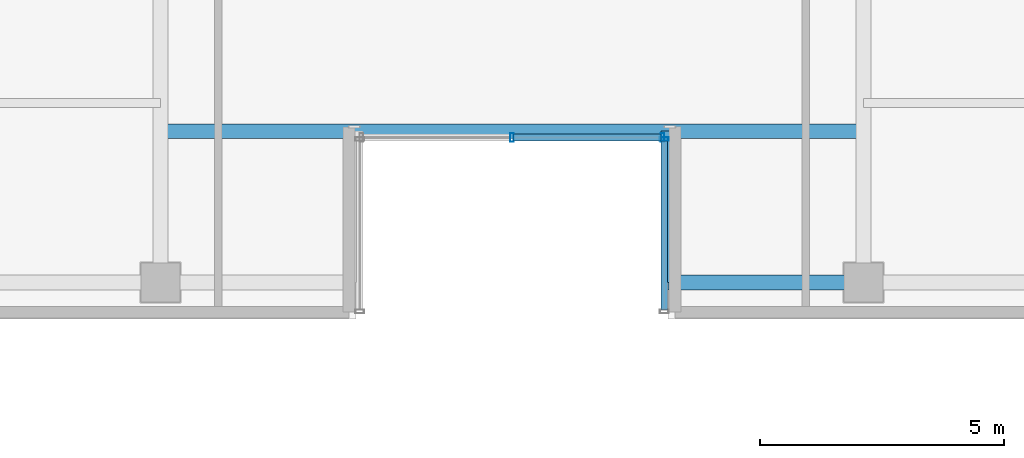
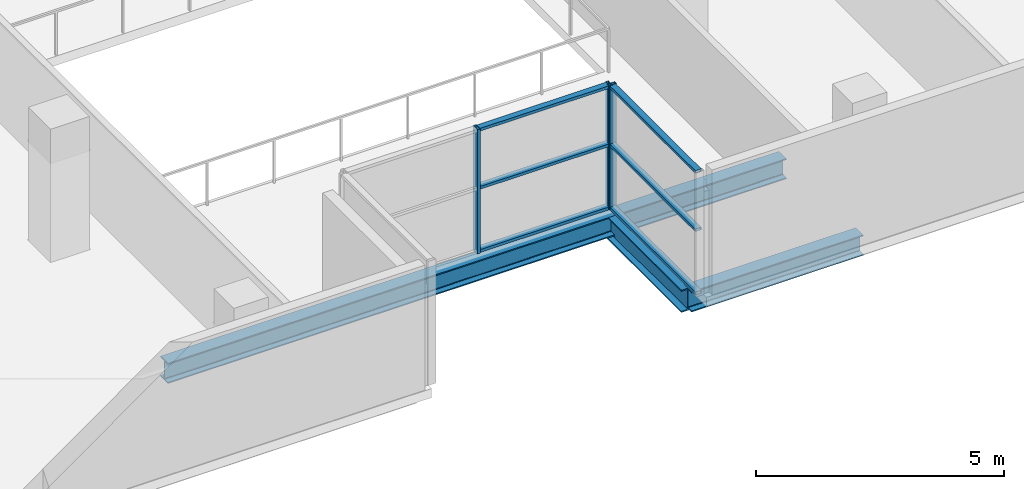
# One storey, part 7 of 25: 9 members, 3 beams, 2 elements without a shape of their own.
"""IFC4 building model written with IfcOpenShell, lengths in metres."""

import ifcopenshell
import ifcopenshell.guid

model = None  # the IFC model being written
_history = None  # IfcOwnerHistory: only IFC2X3 demands one
_inside = {}  # id of a spatial element -> (the spatial element, [elements in it])
_under = {}  # id of a project, library or spatial element -> (it, [spatial elements below it])
_declared = {}  # id of a project -> (the project, [libraries it declares])
_typed = {}  # id of a type object -> (the type object, [elements of that type])
_made_of = {}  # id of a material, layer set ... -> (it, [elements and type objects made of it])


def new_model(schema):
    """Start an empty IFC model of exactly this schema.

    Asked for "IFC4X3", IfcOpenShell would pick the latest addendum, in which some entities
    have other attributes; the version numbers below select the first issue.
    IFC2X3 requires an IfcOwnerHistory on every rooted entity: one is made here for all.
    """
    global model, _history
    if schema == "IFC4X3":
        model = ifcopenshell.file(schema_version=(4, 3, 0, 0))
    else:
        model = ifcopenshell.file(schema=schema)
    _inside.clear()
    _under.clear()
    _declared.clear()
    _typed.clear()
    _made_of.clear()
    _history = None
    if model.schema == "IFC2X3":
        org = make("IfcOrganization", Name="unknown")
        user = make(
            "IfcPersonAndOrganization",
            ThePerson=make("IfcPerson", FamilyName="unknown"),
            TheOrganization=org,
        )
        app = make(
            "IfcApplication",
            ApplicationDeveloper=org,
            Version="unknown",
            ApplicationFullName="unknown",
            ApplicationIdentifier="unknown",
        )
        _history = make(
            "IfcOwnerHistory",
            OwningUser=user,
            OwningApplication=app,
            ChangeAction="ADDED",
            CreationDate=0,
        )
    return model


def make(cls, **values):
    """One entity of the class cls with the attributes given. An attribute that is None is left unset."""
    return model.create_entity(
        cls, **{name: value for name, value in values.items() if value is not None}
    )


def rooted(cls, **values):
    """An entity with a GlobalId (a new one), such as an element, a storey or a relation."""
    return make(cls, GlobalId=ifcopenshell.guid.new(), OwnerHistory=_history, **values)


def si_unit(unit_type, name, prefix=None):
    """IfcSIUnit, for example si_unit("LENGTHUNIT", "METRE", prefix="MILLI")."""
    return make("IfcSIUnit", UnitType=unit_type, Prefix=prefix, Name=name)


def assignment(units):
    """IfcUnitAssignment: the units of a project."""
    return None if units is None else make("IfcUnitAssignment", Units=units)


def point(xyz):
    """IfcCartesianPoint."""
    return None if xyz is None else make("IfcCartesianPoint", Coordinates=xyz)


def direction(xyz):
    """IfcDirection."""
    return None if xyz is None else make("IfcDirection", DirectionRatios=xyz)


def frame(location, z_axis=None, x_axis=None):
    """IfcAxis2Placement3D, a coordinate frame: its origin and axes. An axis left out is left unset."""
    return make(
        "IfcAxis2Placement3D",
        Location=point(location),
        Axis=direction(z_axis),
        RefDirection=direction(x_axis),
    )


def frame_2d(location, x_axis=None):
    """IfcAxis2Placement2D, a coordinate frame in the plane: its origin and x axis."""
    return make(
        "IfcAxis2Placement2D", Location=point(location), RefDirection=direction(x_axis)
    )


def origin():
    """The frame at (0, 0, 0) with its axes left unset."""
    return frame((0.0, 0.0, 0.0))


def origin_2d():
    """The frame at (0, 0) in the plane with its x axis left unset."""
    return frame_2d((0.0, 0.0))


def place(relative_to, where):
    """IfcLocalPlacement: puts the frame where relative to a parent placement (None: the world)."""
    return make(
        "IfcLocalPlacement", PlacementRelTo=relative_to, RelativePlacement=where
    )


def context(
    kind, dimensions, precision=None, world=None, true_north=None, identifier=None
):
    """IfcGeometricRepresentationContext, for example the 3D "Model" context."""
    return make(
        "IfcGeometricRepresentationContext",
        ContextIdentifier=identifier,
        ContextType=kind,
        CoordinateSpaceDimension=dimensions,
        Precision=precision,
        WorldCoordinateSystem=world,
        TrueNorth=true_north,
    )


def subcontext(parent, identifier, kind, view, scale=None):
    """IfcGeometricRepresentationSubContext, for example "Body" below "Model"."""
    return make(
        "IfcGeometricRepresentationSubContext",
        ContextIdentifier=identifier,
        ContextType=kind,
        ParentContext=parent,
        TargetScale=scale,
        TargetView=view,
    )


def project(units=None, contexts=None):
    """IfcProject with its units and contexts."""
    return rooted(
        "IfcProject",
        Name="project",
        RepresentationContexts=contexts,
        UnitsInContext=assignment(units),
    )


def spatial(cls, under=None, at=None, **own):
    """A site, building, storey or space (cls), placed at a placement, below another one or the project."""
    s = rooted(cls, ObjectPlacement=at, **own)
    if under is not None:
        _under.setdefault(under.id(), (under, []))[1].append(s)
    return s


def profile(cls, at=None, kind="AREA", **sizes):
    """A parametric profile (cls). Its sizes go by their IFC names, for example OverallWidth=200.0."""
    return make(cls, ProfileType=kind, Position=at, **sizes)


def hollow_rectangle(**sizes):
    """IfcRectangleHollowProfileDef."""
    return profile("IfcRectangleHollowProfileDef", **sizes)


def i_section(**sizes):
    """IfcIShapeProfileDef."""
    return profile("IfcIShapeProfileDef", **sizes)


def extrude(swept, where, along, depth):
    """IfcExtrudedAreaSolid: the profile swept, set in the frame where, extruded along a direction by depth."""
    return make(
        "IfcExtrudedAreaSolid",
        SweptArea=swept,
        Position=where,
        ExtrudedDirection=direction(along),
        Depth=depth,
    )


def shape(context_of_items, identifier, shape_type, items):
    """IfcShapeRepresentation: the items that make up one representation, for example the "Body"."""
    return make(
        "IfcShapeRepresentation",
        ContextOfItems=context_of_items,
        RepresentationIdentifier=identifier,
        RepresentationType=shape_type,
        Items=items,
    )


def source(mapping_origin, context_of_items, identifier, shape_type, items):
    """IfcRepresentationMap: a shape defined once, which mapped items show again and again."""
    return make(
        "IfcRepresentationMap",
        MappingOrigin=mapping_origin,
        MappedRepresentation=shape(context_of_items, identifier, shape_type, items),
    )


def transform(
    local_origin,
    x_axis=None,
    y_axis=None,
    z_axis=None,
    scale=None,
    scale2=None,
    scale3=None,
    uniform=True,
):
    """IfcCartesianTransformationOperator3D, or its non-uniform kind. x_axis, y_axis, z_axis: its Axis1, 2, 3."""
    if uniform:
        return make(
            "IfcCartesianTransformationOperator3D",
            Axis1=direction(x_axis),
            Axis2=direction(y_axis),
            LocalOrigin=point(local_origin),
            Scale=scale,
            Axis3=direction(z_axis),
        )
    return make(
        "IfcCartesianTransformationOperator3DnonUniform",
        Axis1=direction(x_axis),
        Axis2=direction(y_axis),
        LocalOrigin=point(local_origin),
        Scale=scale,
        Axis3=direction(z_axis),
        Scale2=scale2,
        Scale3=scale3,
    )


def mapped(mapping_source, mapping_target):
    """IfcMappedItem: shows the shape of a source again, moved by a transform."""
    return make(
        "IfcMappedItem", MappingSource=mapping_source, MappingTarget=mapping_target
    )


def material(Name=None, Category=None):
    """IfcMaterial."""
    return make("IfcMaterial", Name=Name, Category=Category)


def layer(
    of_material, thickness, ventilated=None, Name=None, Category=None, Priority=None
):
    """IfcMaterialLayer: one layer of a wall or slab, of a material (None: an air gap)."""
    return make(
        "IfcMaterialLayer",
        Material=of_material,
        LayerThickness=thickness,
        IsVentilated=ventilated,
        Name=Name,
        Category=Category,
        Priority=Priority,
    )


def layer_set(layers, Name=None):
    """IfcMaterialLayerSet."""
    return make("IfcMaterialLayerSet", MaterialLayers=layers, LayerSetName=Name)


def material_profile(
    of_material, cross_section, Name=None, Category=None, Priority=None
):
    """IfcMaterialProfile: a cross section and its material."""
    return make(
        "IfcMaterialProfile",
        Name=Name,
        Material=of_material,
        Profile=cross_section,
        Priority=Priority,
        Category=Category,
    )


def profile_set(profiles, Name=None, composite=None):
    """IfcMaterialProfileSet."""
    return make(
        "IfcMaterialProfileSet",
        Name=Name,
        MaterialProfiles=profiles,
        CompositeProfile=composite,
    )


def made_of(thing, what):
    """Note that an element or type object is made of a material, layer set ...; save() writes the relation."""
    if what is not None:
        _made_of.setdefault(what.id(), (what, []))[1].append(thing)
    return thing


def type_object(cls, material=None, **own):
    """A type object (cls), such as IfcWallType, which elements share."""
    return made_of(rooted(cls, **own), material)


def element(
    cls,
    number,
    at=None,
    inside=None,
    cuts=None,
    type_object=None,
    material=None,
    context=None,
    identifier="Body",
    shape_type=None,
    held_by="IfcProductDefinitionShape",
    body=None,
    shapes=None,
    **own,
):
    """One element of the class cls, such as IfcWall. Its Tag is "e" and its number.

    at: its placement. inside: the storey or other place that contains it. cuts: it is an
    opening in that element (IfcRelVoidsElement). A single representation is given by context,
    identifier, shape_type and body (its items); several are given by shapes. held_by: the class
    of the entity that holds the representations. save() writes the other relations.
    """
    e = rooted(cls, Tag="e%d" % number, ObjectPlacement=at, **own)
    if body is not None:
        shapes = [shape(context, identifier, shape_type, body)]
    if shapes is not None:
        e.Representation = make(held_by, Representations=shapes)
    if inside is not None:
        _inside.setdefault(inside.id(), (inside, []))[1].append(e)
    if cuts is not None:
        rooted(
            "IfcRelVoidsElement", RelatingBuildingElement=cuts, RelatedOpeningElement=e
        )
    if type_object is not None:
        _typed.setdefault(type_object.id(), (type_object, []))[1].append(e)
    return made_of(e, material)


def aggregate(whole, parts):
    """IfcRelAggregates: a whole, such as a stair, and the parts it consists of."""
    return rooted("IfcRelAggregates", RelatingObject=whole, RelatedObjects=parts)


def save(model, path):
    """Write the relations noted so far, then the file.

    IfcRelAggregates (storeys below a building ...), IfcRelContainedInSpatialStructure (elements
    in a storey), IfcRelDefinesByType, IfcRelAssociatesMaterial and IfcRelDeclares: one each for
    every whole, place, type object, material and project.
    """
    for whole, parts in _under.values():
        aggregate(whole, parts)
    for where, things in _inside.values():
        rooted(
            "IfcRelContainedInSpatialStructure",
            RelatedElements=things,
            RelatingStructure=where,
        )
    for kind, things in _typed.values():
        rooted("IfcRelDefinesByType", RelatedObjects=things, RelatingType=kind)
    for what, things in _made_of.values():
        rooted("IfcRelAssociatesMaterial", RelatedObjects=things, RelatingMaterial=what)
    for by, libraries in _declared.values():
        rooted("IfcRelDeclares", RelatingContext=by, RelatedDefinitions=libraries)
    model.write(path)


model = new_model("IFC4")

# Units and contexts
model_context = context("Model", 3, precision=1e-05, world=origin(), true_north=direction((0.0, 1.0)))
body_context = subcontext(model_context, "Body", "Model", "MODEL_VIEW")
ifc_project = project(units=[si_unit("LENGTHUNIT", "METRE"), si_unit("AREAUNIT", "SQUARE_METRE"), si_unit("VOLUMEUNIT", "CUBIC_METRE"), si_unit("PLANEANGLEUNIT", "RADIAN"), si_unit("MASSUNIT", "GRAM", prefix="KILO")], contexts=[model_context])

# Site, building, storey
site_placement = place(None, origin())
site = spatial("IfcSite", under=ifc_project, at=site_placement, CompositionType="ELEMENT")
building_placement = place(site_placement, origin())
building = spatial("IfcBuilding", under=site, at=building_placement, Name="Zarnakvel Exchange Tower", CompositionType="ELEMENT")
storey_placement = place(building_placement, frame((0.0, 0.0, 126.39990234375)))
storey = spatial("IfcBuildingStorey", under=building, at=storey_placement, Name="L35", CompositionType="ELEMENT", Elevation=126.39990234375)

# Beams
ifc_material_1 = material(Name="Steel S355", Category="steel")
ifc_material_profile_1 = material_profile(ifc_material_1, i_section(OverallWidth=0.300048828125, OverallDepth=0.550048828125, WebThickness=0.014892578125, FlangeThickness=0.029052734375, FilletRadius=0.027099609375, at=origin_2d()))
ifc_profile_set_1 = profile_set([ifc_material_profile_1], Name="Steel S355")
beam_type_1 = type_object("IfcBeamType", Name="G-05", PredefinedType="BEAM", material=ifc_profile_set_1)
beam_1_placement = place(storey_placement, frame((3.199951171875, -16.949951171875, -0.5), z_axis=(0.0, 1.0, 0.0), x_axis=(-1.0, 0.0, 0.0)))
element("IfcBeam", 1, at=beam_1_placement, inside=storey, type_object=beam_type_1, Name="L35 South Slot East Cheek Beam", PredefinedType="BEAM", context=body_context, shape_type="SweptSolid", body=[
    extrude(i_section(OverallWidth=0.300048828125, OverallDepth=0.550048828125, WebThickness=0.014892578125, FlangeThickness=0.029052734375, FilletRadius=0.027099609375, at=origin_2d()), origin(), (0.0, 0.0, 1.0), 3.099853515625),
])
ifc_material_profile_2 = material_profile(ifc_material_1, i_section(OverallWidth=0.300048828125, OverallDepth=0.5, WebThickness=0.014404296875, FlangeThickness=0.028076171875, FilletRadius=0.027099609375, at=origin_2d()))
ifc_profile_set_2 = profile_set([ifc_material_profile_2], Name="Steel S355")
beam_type_2 = type_object("IfcBeamType", Name="SP-02", PredefinedType="SPANDREL", material=ifc_profile_set_2)
beam_2_placement = place(storey_placement, frame((3.199951171875, -16.949951171875, -0.474853515625), z_axis=(1.0, 0.0, 0.0), x_axis=(0.0, 1.0, 0.0)))
element("IfcBeam", 2, at=beam_2_placement, inside=storey, type_object=beam_type_2, Name="L35 South Slot East Jamb Spandrel", PredefinedType="SPANDREL", context=body_context, shape_type="SweptSolid", body=[
    extrude(i_section(OverallWidth=0.300048828125, OverallDepth=0.5, WebThickness=0.014404296875, FlangeThickness=0.028076171875, FilletRadius=0.027099609375, at=origin_2d()), origin(), (0.0, 0.0, 1.0), 4.0),
])
beam_3_placement = place(storey_placement, frame((-7.199951171875, -13.85009765625, -0.474853515625), z_axis=(1.0, 0.0, 0.0), x_axis=(0.0, 1.0, 0.0)))
element("IfcBeam", 3, at=beam_3_placement, inside=storey, type_object=beam_type_2, Name="L35 South Slot Head Trimmer Girder", PredefinedType="SPANDREL", context=body_context, shape_type="SweptSolid", body=[
    extrude(i_section(OverallWidth=0.300048828125, OverallDepth=0.5, WebThickness=0.014404296875, FlangeThickness=0.028076171875, FilletRadius=0.027099609375, at=origin_2d()), origin(), (0.0, 0.0, 1.0), 14.39990234375),
])

# Curtain wall, members
ifc_material_2 = material(Name="Architectural Bronze Anodised Aluminium", Category="aluminium")
ifc_layer = layer(ifc_material_2, 0.179931640625)
ifc_layer_set = layer_set([ifc_layer], Name="Architectural Bronze Anodised Aluminium")
curtain_wall_type = type_object("IfcCurtainWallType", Name="CW-05", PredefinedType="NOTDEFINED", material=ifc_layer_set)
curtain_wall_1_placement = place(storey_placement, origin())
curtain_wall_1 = element("IfcCurtainWall", 4, at=curtain_wall_1_placement, inside=storey, type_object=curtain_wall_type, Name="L35 Curtain Wall CW-L35-SLB (CW-05)", PredefinedType="NOTDEFINED")
ifc_material_profile_3 = material_profile(ifc_material_2, hollow_rectangle(XDim=0.179931640625, YDim=0.070068359375, WallThickness=0.00390625, at=origin_2d()))
ifc_profile_set_3 = profile_set([ifc_material_profile_3], Name="Architectural Bronze Anodised Aluminium")
member_type_1 = type_object("IfcMemberType", Name="CWM-05", PredefinedType="MULLION", material=ifc_profile_set_3)
shared_shape_1 = source(origin(), body_context, "Body", "SweptSolid", [
    extrude(hollow_rectangle(XDim=0.179931640625, YDim=0.070068359375, WallThickness=0.00390625, at=origin_2d()), origin(), (0.0, 0.0, 1.0), 3.05517578125),
])
member_1_placement = place(storey_placement, frame((0.0, -13.97998046875, 0.0), z_axis=(0.0, 0.0, 1.0), x_axis=(0.0, 1.0, 0.0)))
member_1 = element("IfcMember", 5, at=member_1_placement, type_object=member_type_1, Name="CW-05 mullion 2", PredefinedType="MULLION", context=body_context, shape_type="MappedRepresentation", body=[
    mapped(shared_shape_1, transform((0.0, 0.0, 0.0), x_axis=(1.0, 0.0, 0.0), y_axis=(0.0, 1.0, 0.0), z_axis=(0.0, 0.0, 1.0), scale=1.0)),
])
member_2_placement = place(storey_placement, frame((3.0849609375, -13.97998046875, 0.0), z_axis=(0.0, 0.0, 1.0), x_axis=(0.0, 1.0, 0.0)))
member_2 = element("IfcMember", 6, at=member_2_placement, type_object=member_type_1, Name="CW-05 mullion 3", PredefinedType="MULLION", context=body_context, shape_type="MappedRepresentation", body=[
    mapped(shared_shape_1, transform((0.0, 0.0, 0.0), x_axis=(1.0, 0.0, 0.0), y_axis=(0.0, 1.0, 0.0), z_axis=(0.0, 0.0, 1.0), scale=1.0)),
])

curtain_wall_2_placement = place(storey_placement, origin())
curtain_wall_2 = element("IfcCurtainWall", 7, at=curtain_wall_2_placement, inside=storey, type_object=curtain_wall_type, Name="L35 Curtain Wall CW-L35-SLE (CW-05)", PredefinedType="NOTDEFINED")
member_3_placement = place(storey_placement, frame((3.1201171875, -14.014892578125, 0.0), z_axis=(0.0, 0.0, 1.0), x_axis=(1.0, 0.0, 0.0)))
member_3 = element("IfcMember", 8, at=member_3_placement, type_object=member_type_1, Name="CW-05 mullion 1", PredefinedType="MULLION", context=body_context, shape_type="MappedRepresentation", body=[
    mapped(shared_shape_1, transform((0.0, 0.0, 0.0), x_axis=(1.0, 0.0, 0.0), y_axis=(0.0, 1.0, 0.0), z_axis=(0.0, 0.0, 1.0), scale=1.0)),
])
ifc_material_profile_4 = material_profile(ifc_material_2, hollow_rectangle(XDim=0.139892578125, YDim=0.070068359375, WallThickness=0.00390625, at=origin_2d()))
ifc_profile_set_4 = profile_set([ifc_material_profile_4], Name="Architectural Bronze Anodised Aluminium")
member_type_2 = type_object("IfcMemberType", Name="CWT-05", PredefinedType="USERDEFINED", material=ifc_profile_set_4)
shared_shape_2 = source(origin(), body_context, "Body", "SweptSolid", [
    extrude(hollow_rectangle(XDim=0.139892578125, YDim=0.070068359375, WallThickness=0.00390625, at=origin_2d()), origin(), (0.0, 0.0, 1.0), 3.4599609375),
])
member_4_placement = place(storey_placement, frame((3.1201171875, -14.050048828125, 0.03515625), z_axis=(0.0, -1.0, 0.0), x_axis=(1.0, 0.0, 0.0)))
member_4 = element("IfcMember", 9, at=member_4_placement, type_object=member_type_2, Name="CW-05 transom 1.1", ObjectType="TRANSOM", PredefinedType="USERDEFINED", context=body_context, shape_type="MappedRepresentation", body=[
    mapped(shared_shape_2, transform((0.0, 0.0, 0.0), x_axis=(1.0, 0.0, 0.0), y_axis=(0.0, 1.0, 0.0), z_axis=(0.0, 0.0, 1.0), scale=1.0)),
])
member_5_placement = place(storey_placement, frame((3.1201171875, -14.050048828125, 1.588623046875), z_axis=(0.0, -1.0, 0.0), x_axis=(1.0, 0.0, 0.0)))
member_5 = element("IfcMember", 10, at=member_5_placement, type_object=member_type_2, Name="CW-05 transom 1.2", ObjectType="TRANSOM", PredefinedType="USERDEFINED", context=body_context, shape_type="MappedRepresentation", body=[
    mapped(shared_shape_2, transform((0.0, 0.0, 0.0), x_axis=(1.0, 0.0, 0.0), y_axis=(0.0, 1.0, 0.0), z_axis=(0.0, 0.0, 1.0), scale=1.0)),
])
member_6_placement = place(storey_placement, frame((3.1201171875, -14.050048828125, 3.02001953125), z_axis=(0.0, -1.0, 0.0), x_axis=(1.0, 0.0, 0.0)))
member_6 = element("IfcMember", 11, at=member_6_placement, type_object=member_type_2, Name="CW-05 transom 1.3", ObjectType="TRANSOM", PredefinedType="USERDEFINED", context=body_context, shape_type="MappedRepresentation", body=[
    mapped(shared_shape_2, transform((0.0, 0.0, 0.0), x_axis=(1.0, 0.0, 0.0), y_axis=(0.0, 1.0, 0.0), z_axis=(0.0, 0.0, 1.0), scale=1.0)),
])
aggregate(curtain_wall_2, [member_3, member_4, member_5, member_6])

# Member
shared_shape_3 = source(origin(), body_context, "Body", "SweptSolid", [
    extrude(hollow_rectangle(XDim=0.139892578125, YDim=0.070068359375, WallThickness=0.00390625, at=origin_2d()), origin(), (0.0, 0.0, 1.0), 3.01513671875),
])
member_7_placement = place(storey_placement, frame((0.034912109375, -13.97998046875, 0.03515625), z_axis=(1.0, 0.0, 0.0), x_axis=(0.0, 1.0, 0.0)))
member_7 = element("IfcMember", 12, at=member_7_placement, type_object=member_type_2, Name="CW-05 transom 2.1", ObjectType="TRANSOM", PredefinedType="USERDEFINED", context=body_context, shape_type="MappedRepresentation", body=[
    mapped(shared_shape_3, transform((0.0, 0.0, 0.0), x_axis=(1.0, 0.0, 0.0), y_axis=(0.0, 1.0, 0.0), z_axis=(0.0, 0.0, 1.0), scale=1.0)),
])

member_8_placement = place(storey_placement, frame((0.034912109375, -13.97998046875, 1.588623046875), z_axis=(1.0, 0.0, 0.0), x_axis=(0.0, 1.0, 0.0)))
member_8 = element("IfcMember", 13, at=member_8_placement, type_object=member_type_2, Name="CW-05 transom 2.2", ObjectType="TRANSOM", PredefinedType="USERDEFINED", context=body_context, shape_type="MappedRepresentation", body=[
    mapped(shared_shape_3, transform((0.0, 0.0, 0.0), x_axis=(1.0, 0.0, 0.0), y_axis=(0.0, 1.0, 0.0), z_axis=(0.0, 0.0, 1.0), scale=1.0)),
])

member_9_placement = place(storey_placement, frame((0.034912109375, -13.97998046875, 3.02001953125), z_axis=(1.0, 0.0, 0.0), x_axis=(0.0, 1.0, 0.0)))
member_9 = element("IfcMember", 14, at=member_9_placement, type_object=member_type_2, Name="CW-05 transom 2.3", ObjectType="TRANSOM", PredefinedType="USERDEFINED", context=body_context, shape_type="MappedRepresentation", body=[
    mapped(shared_shape_3, transform((0.0, 0.0, 0.0), x_axis=(1.0, 0.0, 0.0), y_axis=(0.0, 1.0, 0.0), z_axis=(0.0, 0.0, 1.0), scale=1.0)),
])

aggregate(curtain_wall_1, [member_1, member_2, member_7, member_8, member_9])

save(model, "model.ifc")
